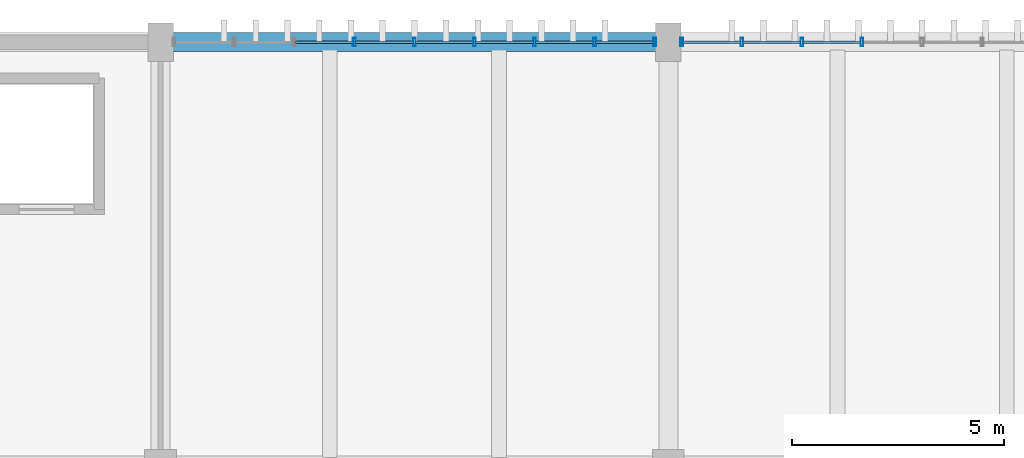
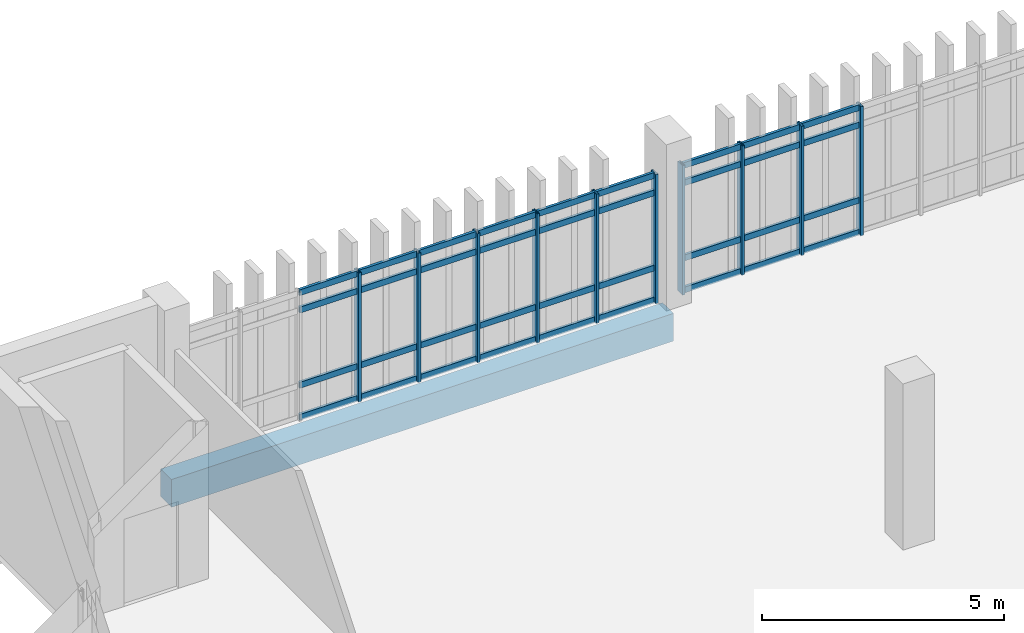
# One storey, part 118 of 161: 46 members, 1 beam, 2 elements without a shape of their own.
"""IFC4 building model written with IfcOpenShell, lengths in metres."""

from ifc_helpers import new_model, si_unit, direction, frame, origin, origin_2d, place, context, subcontext, project, spatial, rectangle, hollow_rectangle, extrude, material, layer, layer_set, material_profile, profile_set, type_object, element, aggregate, save


model = new_model("IFC4")

# Units and contexts
model_context = context("Model", 3, precision=1e-05, world=origin(), true_north=direction((0.0, 1.0)))
body_context = subcontext(model_context, "Body", "Model", "MODEL_VIEW")
ifc_project = project(units=[si_unit("LENGTHUNIT", "METRE"), si_unit("AREAUNIT", "SQUARE_METRE"), si_unit("VOLUMEUNIT", "CUBIC_METRE"), si_unit("PLANEANGLEUNIT", "RADIAN"), si_unit("MASSUNIT", "GRAM", prefix="KILO")], contexts=[model_context])

# Site, building, storey
site_placement = place(None, origin())
site = spatial("IfcSite", under=ifc_project, at=site_placement, CompositionType="ELEMENT")
building_placement = place(site_placement, origin())
building = spatial("IfcBuilding", under=site, at=building_placement, Name="Mersad Railyard Sports Hall", CompositionType="ELEMENT")
storey_placement = place(building_placement, frame((0.0, 0.0, 4.800048828125)))
storey = spatial("IfcBuildingStorey", under=building, at=storey_placement, Name="L01", CompositionType="ELEMENT", Elevation=4.800048828125)

# Curtain wall, members
ifc_material_1 = material(Name="Aluminium 6063-T6", Category="aluminium")
ifc_layer = layer(ifc_material_1, 0.199951171875)
ifc_layer_set = layer_set([ifc_layer], Name="Aluminium 6063-T6")
curtain_wall_type = type_object("IfcCurtainWallType", Name="ARC-CW-CW34", PredefinedType="USERDEFINED", material=ifc_layer_set)
curtain_wall_1_placement = place(storey_placement, origin())
curtain_wall_1 = element("IfcCurtainWall", 1, at=curtain_wall_1_placement, inside=storey, type_object=curtain_wall_type, Name="Curtain wall CW34-0101", ObjectType="CURTAIN WALL", PredefinedType="USERDEFINED")
ifc_material_profile_1 = material_profile(ifc_material_1, hollow_rectangle(XDim=0.06494140625, YDim=0.199951171875, WallThickness=0.0048828125, at=origin_2d()), Name="AL MULLION 65x200x5")
ifc_profile_set_1 = profile_set([ifc_material_profile_1], Name="Aluminium 6063-T6")
member_type_1 = type_object("IfcMemberType", Name="ARC-CW-MUL02", PredefinedType="MULLION", material=ifc_profile_set_1)
member_1_placement = place(storey_placement, frame((153.580078125, 115.0, -0.02001953125), z_axis=(0.0, 0.0, 1.0), x_axis=(1.0, 0.0, 0.0)))
member_1 = element("IfcMember", 2, at=member_1_placement, type_object=member_type_1, Name="CW34 Mullion 4", PredefinedType="MULLION", context=body_context, shape_type="SweptSolid", body=[
    extrude(hollow_rectangle(XDim=0.06494140625, YDim=0.199951171875, WallThickness=0.0048828125, at=origin_2d()), origin(), (0.0, 0.0, 1.0), 3.27001953125),
])
member_2_placement = place(storey_placement, frame((155.0, 115.0, -0.02001953125), z_axis=(0.0, 0.0, 1.0), x_axis=(1.0, 0.0, 0.0)))
member_2 = element("IfcMember", 3, at=member_2_placement, type_object=member_type_1, Name="CW34 Mullion 5", PredefinedType="MULLION", context=body_context, shape_type="SweptSolid", body=[
    extrude(hollow_rectangle(XDim=0.06494140625, YDim=0.199951171875, WallThickness=0.0048828125, at=origin_2d()), origin(), (0.0, 0.0, 1.0), 3.27001953125),
])
member_3_placement = place(storey_placement, frame((156.419921875, 115.0, -0.02001953125), z_axis=(0.0, 0.0, 1.0), x_axis=(1.0, 0.0, 0.0)))
member_3 = element("IfcMember", 4, at=member_3_placement, type_object=member_type_1, Name="CW34 Mullion 6", PredefinedType="MULLION", context=body_context, shape_type="SweptSolid", body=[
    extrude(hollow_rectangle(XDim=0.06494140625, YDim=0.199951171875, WallThickness=0.0048828125, at=origin_2d()), origin(), (0.0, 0.0, 1.0), 3.27001953125),
])
member_4_placement = place(storey_placement, frame((157.840087890625, 115.0, -0.02001953125), z_axis=(0.0, 0.0, 1.0), x_axis=(1.0, 0.0, 0.0)))
member_4 = element("IfcMember", 5, at=member_4_placement, type_object=member_type_1, Name="CW34 Mullion 7", PredefinedType="MULLION", context=body_context, shape_type="SweptSolid", body=[
    extrude(hollow_rectangle(XDim=0.06494140625, YDim=0.199951171875, WallThickness=0.0048828125, at=origin_2d()), origin(), (0.0, 0.0, 1.0), 3.27001953125),
])
member_5_placement = place(storey_placement, frame((159.260009765625, 115.0, -0.02001953125), z_axis=(0.0, 0.0, 1.0), x_axis=(1.0, 0.0, 0.0)))
member_5 = element("IfcMember", 6, at=member_5_placement, type_object=member_type_1, Name="CW34 Mullion 8", PredefinedType="MULLION", context=body_context, shape_type="SweptSolid", body=[
    extrude(hollow_rectangle(XDim=0.06494140625, YDim=0.199951171875, WallThickness=0.0048828125, at=origin_2d()), origin(), (0.0, 0.0, 1.0), 3.27001953125),
])
member_6_placement = place(storey_placement, frame((160.679931640625, 115.0, -0.02001953125), z_axis=(0.0, 0.0, 1.0), x_axis=(1.0, 0.0, 0.0)))
member_6 = element("IfcMember", 7, at=member_6_placement, type_object=member_type_1, Name="CW34 Mullion 9", PredefinedType="MULLION", context=body_context, shape_type="SweptSolid", body=[
    extrude(hollow_rectangle(XDim=0.06494140625, YDim=0.199951171875, WallThickness=0.0048828125, at=origin_2d()), origin(), (0.0, 0.0, 1.0), 3.27001953125),
])

curtain_wall_2_placement = place(storey_placement, origin())
curtain_wall_2 = element("IfcCurtainWall", 8, at=curtain_wall_2_placement, inside=storey, type_object=curtain_wall_type, Name="Curtain wall CW34-0102", ObjectType="CURTAIN WALL", PredefinedType="USERDEFINED")
member_7_placement = place(storey_placement, frame((161.320068359375, 115.0, -0.02001953125), z_axis=(0.0, 0.0, 1.0), x_axis=(1.0, 0.0, 0.0)))
member_7 = element("IfcMember", 9, at=member_7_placement, type_object=member_type_1, Name="CW34 Mullion 1", PredefinedType="MULLION", context=body_context, shape_type="SweptSolid", body=[
    extrude(hollow_rectangle(XDim=0.06494140625, YDim=0.199951171875, WallThickness=0.0048828125, at=origin_2d()), origin(), (0.0, 0.0, 1.0), 3.27001953125),
])
member_8_placement = place(storey_placement, frame((162.739990234375, 115.0, -0.02001953125), z_axis=(0.0, 0.0, 1.0), x_axis=(1.0, 0.0, 0.0)))
member_8 = element("IfcMember", 10, at=member_8_placement, type_object=member_type_1, Name="CW34 Mullion 2", PredefinedType="MULLION", context=body_context, shape_type="SweptSolid", body=[
    extrude(hollow_rectangle(XDim=0.06494140625, YDim=0.199951171875, WallThickness=0.0048828125, at=origin_2d()), origin(), (0.0, 0.0, 1.0), 3.27001953125),
])
member_9_placement = place(storey_placement, frame((164.159912109375, 115.0, -0.02001953125), z_axis=(0.0, 0.0, 1.0), x_axis=(1.0, 0.0, 0.0)))
member_9 = element("IfcMember", 11, at=member_9_placement, type_object=member_type_1, Name="CW34 Mullion 3", PredefinedType="MULLION", context=body_context, shape_type="SweptSolid", body=[
    extrude(hollow_rectangle(XDim=0.06494140625, YDim=0.199951171875, WallThickness=0.0048828125, at=origin_2d()), origin(), (0.0, 0.0, 1.0), 3.27001953125),
])
member_10_placement = place(storey_placement, frame((165.580078125, 115.0, -0.02001953125), z_axis=(0.0, 0.0, 1.0), x_axis=(1.0, 0.0, 0.0)))
member_10 = element("IfcMember", 12, at=member_10_placement, type_object=member_type_1, Name="CW34 Mullion 4", PredefinedType="MULLION", context=body_context, shape_type="SweptSolid", body=[
    extrude(hollow_rectangle(XDim=0.06494140625, YDim=0.199951171875, WallThickness=0.0048828125, at=origin_2d()), origin(), (0.0, 0.0, 1.0), 3.27001953125),
])

# Member
ifc_material_profile_2 = material_profile(ifc_material_1, hollow_rectangle(XDim=0.06494140625, YDim=0.14990234375, WallThickness=0.00439453125, at=origin_2d()), Name="AL TRANSOM 65x150x4.5")
ifc_profile_set_2 = profile_set([ifc_material_profile_2], Name="Aluminium 6063-T6")
member_type_2 = type_object("IfcMemberType", Name="ARC-CW-TRN02", PredefinedType="USERDEFINED", material=ifc_profile_set_2)
member_11_placement = place(storey_placement, frame((152.179931640625, 115.0, 0.0400390625), z_axis=(1.0, 0.0, 0.0), x_axis=(0.0, 1.0, 0.0)))
member_11 = element("IfcMember", 13, at=member_11_placement, type_object=member_type_2, Name="CW34 Transom 1-3", ObjectType="TRANSOM", PredefinedType="USERDEFINED", context=body_context, shape_type="SweptSolid", body=[
    extrude(hollow_rectangle(XDim=0.06494140625, YDim=0.14990234375, WallThickness=0.00439453125, at=origin_2d()), origin(), (0.0, 0.0, 1.0), 1.380126953125),
])

member_12_placement = place(storey_placement, frame((153.60009765625, 115.0, 0.0400390625), z_axis=(1.0, 0.0, 0.0), x_axis=(0.0, 1.0, 0.0)))
member_12 = element("IfcMember", 14, at=member_12_placement, type_object=member_type_2, Name="CW34 Transom 1-4", ObjectType="TRANSOM", PredefinedType="USERDEFINED", context=body_context, shape_type="SweptSolid", body=[
    extrude(hollow_rectangle(XDim=0.06494140625, YDim=0.14990234375, WallThickness=0.00439453125, at=origin_2d()), origin(), (0.0, 0.0, 1.0), 1.3798828125),
])

member_13_placement = place(storey_placement, frame((155.02001953125, 115.0, 0.0400390625), z_axis=(1.0, 0.0, 0.0), x_axis=(0.0, 1.0, 0.0)))
member_13 = element("IfcMember", 15, at=member_13_placement, type_object=member_type_2, Name="CW34 Transom 1-5", ObjectType="TRANSOM", PredefinedType="USERDEFINED", context=body_context, shape_type="SweptSolid", body=[
    extrude(hollow_rectangle(XDim=0.06494140625, YDim=0.14990234375, WallThickness=0.00439453125, at=origin_2d()), origin(), (0.0, 0.0, 1.0), 1.3798828125),
])

member_14_placement = place(storey_placement, frame((156.43994140625, 115.0, 0.0400390625), z_axis=(1.0, 0.0, 0.0), x_axis=(0.0, 1.0, 0.0)))
member_14 = element("IfcMember", 16, at=member_14_placement, type_object=member_type_2, Name="CW34 Transom 1-6", ObjectType="TRANSOM", PredefinedType="USERDEFINED", context=body_context, shape_type="SweptSolid", body=[
    extrude(hollow_rectangle(XDim=0.06494140625, YDim=0.14990234375, WallThickness=0.00439453125, at=origin_2d()), origin(), (0.0, 0.0, 1.0), 1.380126953125),
])

member_15_placement = place(storey_placement, frame((157.860107421875, 115.0, 0.0400390625), z_axis=(1.0, 0.0, 0.0), x_axis=(0.0, 1.0, 0.0)))
member_15 = element("IfcMember", 17, at=member_15_placement, type_object=member_type_2, Name="CW34 Transom 1-7", ObjectType="TRANSOM", PredefinedType="USERDEFINED", context=body_context, shape_type="SweptSolid", body=[
    extrude(hollow_rectangle(XDim=0.06494140625, YDim=0.14990234375, WallThickness=0.00439453125, at=origin_2d()), origin(), (0.0, 0.0, 1.0), 1.3798828125),
])

member_16_placement = place(storey_placement, frame((159.280029296875, 115.0, 0.0400390625), z_axis=(1.0, 0.0, 0.0), x_axis=(0.0, 1.0, 0.0)))
member_16 = element("IfcMember", 18, at=member_16_placement, type_object=member_type_2, Name="CW34 Transom 1-8", ObjectType="TRANSOM", PredefinedType="USERDEFINED", context=body_context, shape_type="SweptSolid", body=[
    extrude(hollow_rectangle(XDim=0.06494140625, YDim=0.14990234375, WallThickness=0.00439453125, at=origin_2d()), origin(), (0.0, 0.0, 1.0), 1.3798828125),
])

member_17_placement = place(storey_placement, frame((152.179931640625, 115.0, 0.849853515625), z_axis=(1.0, 0.0, 0.0), x_axis=(0.0, 1.0, 0.0)))
member_17 = element("IfcMember", 19, at=member_17_placement, type_object=member_type_2, Name="CW34 Transom 2-3", ObjectType="TRANSOM", PredefinedType="USERDEFINED", context=body_context, shape_type="SweptSolid", body=[
    extrude(hollow_rectangle(XDim=0.06494140625, YDim=0.14990234375, WallThickness=0.00439453125, at=origin_2d()), origin(), (0.0, 0.0, 1.0), 1.380126953125),
])

member_18_placement = place(storey_placement, frame((153.60009765625, 115.0, 0.849853515625), z_axis=(1.0, 0.0, 0.0), x_axis=(0.0, 1.0, 0.0)))
member_18 = element("IfcMember", 20, at=member_18_placement, type_object=member_type_2, Name="CW34 Transom 2-4", ObjectType="TRANSOM", PredefinedType="USERDEFINED", context=body_context, shape_type="SweptSolid", body=[
    extrude(hollow_rectangle(XDim=0.06494140625, YDim=0.14990234375, WallThickness=0.00439453125, at=origin_2d()), origin(), (0.0, 0.0, 1.0), 1.3798828125),
])

member_19_placement = place(storey_placement, frame((155.02001953125, 115.0, 0.849853515625), z_axis=(1.0, 0.0, 0.0), x_axis=(0.0, 1.0, 0.0)))
member_19 = element("IfcMember", 21, at=member_19_placement, type_object=member_type_2, Name="CW34 Transom 2-5", ObjectType="TRANSOM", PredefinedType="USERDEFINED", context=body_context, shape_type="SweptSolid", body=[
    extrude(hollow_rectangle(XDim=0.06494140625, YDim=0.14990234375, WallThickness=0.00439453125, at=origin_2d()), origin(), (0.0, 0.0, 1.0), 1.3798828125),
])

member_20_placement = place(storey_placement, frame((156.43994140625, 115.0, 0.849853515625), z_axis=(1.0, 0.0, 0.0), x_axis=(0.0, 1.0, 0.0)))
member_20 = element("IfcMember", 22, at=member_20_placement, type_object=member_type_2, Name="CW34 Transom 2-6", ObjectType="TRANSOM", PredefinedType="USERDEFINED", context=body_context, shape_type="SweptSolid", body=[
    extrude(hollow_rectangle(XDim=0.06494140625, YDim=0.14990234375, WallThickness=0.00439453125, at=origin_2d()), origin(), (0.0, 0.0, 1.0), 1.380126953125),
])

member_21_placement = place(storey_placement, frame((157.860107421875, 115.0, 0.849853515625), z_axis=(1.0, 0.0, 0.0), x_axis=(0.0, 1.0, 0.0)))
member_21 = element("IfcMember", 23, at=member_21_placement, type_object=member_type_2, Name="CW34 Transom 2-7", ObjectType="TRANSOM", PredefinedType="USERDEFINED", context=body_context, shape_type="SweptSolid", body=[
    extrude(hollow_rectangle(XDim=0.06494140625, YDim=0.14990234375, WallThickness=0.00439453125, at=origin_2d()), origin(), (0.0, 0.0, 1.0), 1.3798828125),
])

member_22_placement = place(storey_placement, frame((159.280029296875, 115.0, 0.849853515625), z_axis=(1.0, 0.0, 0.0), x_axis=(0.0, 1.0, 0.0)))
member_22 = element("IfcMember", 24, at=member_22_placement, type_object=member_type_2, Name="CW34 Transom 2-8", ObjectType="TRANSOM", PredefinedType="USERDEFINED", context=body_context, shape_type="SweptSolid", body=[
    extrude(hollow_rectangle(XDim=0.06494140625, YDim=0.14990234375, WallThickness=0.00439453125, at=origin_2d()), origin(), (0.0, 0.0, 1.0), 1.3798828125),
])

member_23_placement = place(storey_placement, frame((152.179931640625, 115.0, 2.75), z_axis=(1.0, 0.0, 0.0), x_axis=(0.0, 1.0, 0.0)))
member_23 = element("IfcMember", 25, at=member_23_placement, type_object=member_type_2, Name="CW34 Transom 3-3", ObjectType="TRANSOM", PredefinedType="USERDEFINED", context=body_context, shape_type="SweptSolid", body=[
    extrude(hollow_rectangle(XDim=0.06494140625, YDim=0.14990234375, WallThickness=0.00439453125, at=origin_2d()), origin(), (0.0, 0.0, 1.0), 1.380126953125),
])

member_24_placement = place(storey_placement, frame((153.60009765625, 115.0, 2.75), z_axis=(1.0, 0.0, 0.0), x_axis=(0.0, 1.0, 0.0)))
member_24 = element("IfcMember", 26, at=member_24_placement, type_object=member_type_2, Name="CW34 Transom 3-4", ObjectType="TRANSOM", PredefinedType="USERDEFINED", context=body_context, shape_type="SweptSolid", body=[
    extrude(hollow_rectangle(XDim=0.06494140625, YDim=0.14990234375, WallThickness=0.00439453125, at=origin_2d()), origin(), (0.0, 0.0, 1.0), 1.3798828125),
])

member_25_placement = place(storey_placement, frame((155.02001953125, 115.0, 2.75), z_axis=(1.0, 0.0, 0.0), x_axis=(0.0, 1.0, 0.0)))
member_25 = element("IfcMember", 27, at=member_25_placement, type_object=member_type_2, Name="CW34 Transom 3-5", ObjectType="TRANSOM", PredefinedType="USERDEFINED", context=body_context, shape_type="SweptSolid", body=[
    extrude(hollow_rectangle(XDim=0.06494140625, YDim=0.14990234375, WallThickness=0.00439453125, at=origin_2d()), origin(), (0.0, 0.0, 1.0), 1.3798828125),
])

member_26_placement = place(storey_placement, frame((156.43994140625, 115.0, 2.75), z_axis=(1.0, 0.0, 0.0), x_axis=(0.0, 1.0, 0.0)))
member_26 = element("IfcMember", 28, at=member_26_placement, type_object=member_type_2, Name="CW34 Transom 3-6", ObjectType="TRANSOM", PredefinedType="USERDEFINED", context=body_context, shape_type="SweptSolid", body=[
    extrude(hollow_rectangle(XDim=0.06494140625, YDim=0.14990234375, WallThickness=0.00439453125, at=origin_2d()), origin(), (0.0, 0.0, 1.0), 1.380126953125),
])

member_27_placement = place(storey_placement, frame((157.860107421875, 115.0, 2.75), z_axis=(1.0, 0.0, 0.0), x_axis=(0.0, 1.0, 0.0)))
member_27 = element("IfcMember", 29, at=member_27_placement, type_object=member_type_2, Name="CW34 Transom 3-7", ObjectType="TRANSOM", PredefinedType="USERDEFINED", context=body_context, shape_type="SweptSolid", body=[
    extrude(hollow_rectangle(XDim=0.06494140625, YDim=0.14990234375, WallThickness=0.00439453125, at=origin_2d()), origin(), (0.0, 0.0, 1.0), 1.3798828125),
])

member_28_placement = place(storey_placement, frame((159.280029296875, 115.0, 2.75), z_axis=(1.0, 0.0, 0.0), x_axis=(0.0, 1.0, 0.0)))
member_28 = element("IfcMember", 30, at=member_28_placement, type_object=member_type_2, Name="CW34 Transom 3-8", ObjectType="TRANSOM", PredefinedType="USERDEFINED", context=body_context, shape_type="SweptSolid", body=[
    extrude(hollow_rectangle(XDim=0.06494140625, YDim=0.14990234375, WallThickness=0.00439453125, at=origin_2d()), origin(), (0.0, 0.0, 1.0), 1.3798828125),
])

member_29_placement = place(storey_placement, frame((152.179931640625, 115.0, 3.18994140625), z_axis=(1.0, 0.0, 0.0), x_axis=(0.0, 1.0, 0.0)))
member_29 = element("IfcMember", 31, at=member_29_placement, type_object=member_type_2, Name="CW34 Transom 4-3", ObjectType="TRANSOM", PredefinedType="USERDEFINED", context=body_context, shape_type="SweptSolid", body=[
    extrude(hollow_rectangle(XDim=0.06494140625, YDim=0.14990234375, WallThickness=0.00439453125, at=origin_2d()), origin(), (0.0, 0.0, 1.0), 1.380126953125),
])

member_30_placement = place(storey_placement, frame((153.60009765625, 115.0, 3.18994140625), z_axis=(1.0, 0.0, 0.0), x_axis=(0.0, 1.0, 0.0)))
member_30 = element("IfcMember", 32, at=member_30_placement, type_object=member_type_2, Name="CW34 Transom 4-4", ObjectType="TRANSOM", PredefinedType="USERDEFINED", context=body_context, shape_type="SweptSolid", body=[
    extrude(hollow_rectangle(XDim=0.06494140625, YDim=0.14990234375, WallThickness=0.00439453125, at=origin_2d()), origin(), (0.0, 0.0, 1.0), 1.3798828125),
])

member_31_placement = place(storey_placement, frame((155.02001953125, 115.0, 3.18994140625), z_axis=(1.0, 0.0, 0.0), x_axis=(0.0, 1.0, 0.0)))
member_31 = element("IfcMember", 33, at=member_31_placement, type_object=member_type_2, Name="CW34 Transom 4-5", ObjectType="TRANSOM", PredefinedType="USERDEFINED", context=body_context, shape_type="SweptSolid", body=[
    extrude(hollow_rectangle(XDim=0.06494140625, YDim=0.14990234375, WallThickness=0.00439453125, at=origin_2d()), origin(), (0.0, 0.0, 1.0), 1.3798828125),
])

member_32_placement = place(storey_placement, frame((156.43994140625, 115.0, 3.18994140625), z_axis=(1.0, 0.0, 0.0), x_axis=(0.0, 1.0, 0.0)))
member_32 = element("IfcMember", 34, at=member_32_placement, type_object=member_type_2, Name="CW34 Transom 4-6", ObjectType="TRANSOM", PredefinedType="USERDEFINED", context=body_context, shape_type="SweptSolid", body=[
    extrude(hollow_rectangle(XDim=0.06494140625, YDim=0.14990234375, WallThickness=0.00439453125, at=origin_2d()), origin(), (0.0, 0.0, 1.0), 1.380126953125),
])

member_33_placement = place(storey_placement, frame((157.860107421875, 115.0, 3.18994140625), z_axis=(1.0, 0.0, 0.0), x_axis=(0.0, 1.0, 0.0)))
member_33 = element("IfcMember", 35, at=member_33_placement, type_object=member_type_2, Name="CW34 Transom 4-7", ObjectType="TRANSOM", PredefinedType="USERDEFINED", context=body_context, shape_type="SweptSolid", body=[
    extrude(hollow_rectangle(XDim=0.06494140625, YDim=0.14990234375, WallThickness=0.00439453125, at=origin_2d()), origin(), (0.0, 0.0, 1.0), 1.3798828125),
])

member_34_placement = place(storey_placement, frame((159.280029296875, 115.0, 3.18994140625), z_axis=(1.0, 0.0, 0.0), x_axis=(0.0, 1.0, 0.0)))
member_34 = element("IfcMember", 36, at=member_34_placement, type_object=member_type_2, Name="CW34 Transom 4-8", ObjectType="TRANSOM", PredefinedType="USERDEFINED", context=body_context, shape_type="SweptSolid", body=[
    extrude(hollow_rectangle(XDim=0.06494140625, YDim=0.14990234375, WallThickness=0.00439453125, at=origin_2d()), origin(), (0.0, 0.0, 1.0), 1.3798828125),
])

aggregate(curtain_wall_1, [member_1, member_2, member_3, member_4, member_5, member_6, member_11, member_12, member_13, member_14, member_15, member_16, member_17, member_18, member_19, member_20, member_21, member_22, member_23, member_24, member_25, member_26, member_27, member_28, member_29, member_30, member_31, member_32, member_33, member_34])

member_35_placement = place(storey_placement, frame((161.340087890625, 115.0, 0.0400390625), z_axis=(1.0, 0.0, 0.0), x_axis=(0.0, 1.0, 0.0)))
member_35 = element("IfcMember", 37, at=member_35_placement, type_object=member_type_2, Name="CW34 Transom 1-1", ObjectType="TRANSOM", PredefinedType="USERDEFINED", context=body_context, shape_type="SweptSolid", body=[
    extrude(hollow_rectangle(XDim=0.06494140625, YDim=0.14990234375, WallThickness=0.00439453125, at=origin_2d()), origin(), (0.0, 0.0, 1.0), 1.3798828125),
])

member_36_placement = place(storey_placement, frame((162.760009765625, 115.0, 0.0400390625), z_axis=(1.0, 0.0, 0.0), x_axis=(0.0, 1.0, 0.0)))
member_36 = element("IfcMember", 38, at=member_36_placement, type_object=member_type_2, Name="CW34 Transom 1-2", ObjectType="TRANSOM", PredefinedType="USERDEFINED", context=body_context, shape_type="SweptSolid", body=[
    extrude(hollow_rectangle(XDim=0.06494140625, YDim=0.14990234375, WallThickness=0.00439453125, at=origin_2d()), origin(), (0.0, 0.0, 1.0), 1.3798828125),
])

member_37_placement = place(storey_placement, frame((164.179931640625, 115.0, 0.0400390625), z_axis=(1.0, 0.0, 0.0), x_axis=(0.0, 1.0, 0.0)))
member_37 = element("IfcMember", 39, at=member_37_placement, type_object=member_type_2, Name="CW34 Transom 1-3", ObjectType="TRANSOM", PredefinedType="USERDEFINED", context=body_context, shape_type="SweptSolid", body=[
    extrude(hollow_rectangle(XDim=0.06494140625, YDim=0.14990234375, WallThickness=0.00439453125, at=origin_2d()), origin(), (0.0, 0.0, 1.0), 1.380126953125),
])

member_38_placement = place(storey_placement, frame((161.340087890625, 115.0, 0.849853515625), z_axis=(1.0, 0.0, 0.0), x_axis=(0.0, 1.0, 0.0)))
member_38 = element("IfcMember", 40, at=member_38_placement, type_object=member_type_2, Name="CW34 Transom 2-1", ObjectType="TRANSOM", PredefinedType="USERDEFINED", context=body_context, shape_type="SweptSolid", body=[
    extrude(hollow_rectangle(XDim=0.06494140625, YDim=0.14990234375, WallThickness=0.00439453125, at=origin_2d()), origin(), (0.0, 0.0, 1.0), 1.3798828125),
])

member_39_placement = place(storey_placement, frame((162.760009765625, 115.0, 0.849853515625), z_axis=(1.0, 0.0, 0.0), x_axis=(0.0, 1.0, 0.0)))
member_39 = element("IfcMember", 41, at=member_39_placement, type_object=member_type_2, Name="CW34 Transom 2-2", ObjectType="TRANSOM", PredefinedType="USERDEFINED", context=body_context, shape_type="SweptSolid", body=[
    extrude(hollow_rectangle(XDim=0.06494140625, YDim=0.14990234375, WallThickness=0.00439453125, at=origin_2d()), origin(), (0.0, 0.0, 1.0), 1.3798828125),
])

member_40_placement = place(storey_placement, frame((164.179931640625, 115.0, 0.849853515625), z_axis=(1.0, 0.0, 0.0), x_axis=(0.0, 1.0, 0.0)))
member_40 = element("IfcMember", 42, at=member_40_placement, type_object=member_type_2, Name="CW34 Transom 2-3", ObjectType="TRANSOM", PredefinedType="USERDEFINED", context=body_context, shape_type="SweptSolid", body=[
    extrude(hollow_rectangle(XDim=0.06494140625, YDim=0.14990234375, WallThickness=0.00439453125, at=origin_2d()), origin(), (0.0, 0.0, 1.0), 1.380126953125),
])

member_41_placement = place(storey_placement, frame((161.340087890625, 115.0, 2.75), z_axis=(1.0, 0.0, 0.0), x_axis=(0.0, 1.0, 0.0)))
member_41 = element("IfcMember", 43, at=member_41_placement, type_object=member_type_2, Name="CW34 Transom 3-1", ObjectType="TRANSOM", PredefinedType="USERDEFINED", context=body_context, shape_type="SweptSolid", body=[
    extrude(hollow_rectangle(XDim=0.06494140625, YDim=0.14990234375, WallThickness=0.00439453125, at=origin_2d()), origin(), (0.0, 0.0, 1.0), 1.3798828125),
])

member_42_placement = place(storey_placement, frame((162.760009765625, 115.0, 2.75), z_axis=(1.0, 0.0, 0.0), x_axis=(0.0, 1.0, 0.0)))
member_42 = element("IfcMember", 44, at=member_42_placement, type_object=member_type_2, Name="CW34 Transom 3-2", ObjectType="TRANSOM", PredefinedType="USERDEFINED", context=body_context, shape_type="SweptSolid", body=[
    extrude(hollow_rectangle(XDim=0.06494140625, YDim=0.14990234375, WallThickness=0.00439453125, at=origin_2d()), origin(), (0.0, 0.0, 1.0), 1.3798828125),
])

member_43_placement = place(storey_placement, frame((164.179931640625, 115.0, 2.75), z_axis=(1.0, 0.0, 0.0), x_axis=(0.0, 1.0, 0.0)))
member_43 = element("IfcMember", 45, at=member_43_placement, type_object=member_type_2, Name="CW34 Transom 3-3", ObjectType="TRANSOM", PredefinedType="USERDEFINED", context=body_context, shape_type="SweptSolid", body=[
    extrude(hollow_rectangle(XDim=0.06494140625, YDim=0.14990234375, WallThickness=0.00439453125, at=origin_2d()), origin(), (0.0, 0.0, 1.0), 1.380126953125),
])

member_44_placement = place(storey_placement, frame((161.340087890625, 115.0, 3.18994140625), z_axis=(1.0, 0.0, 0.0), x_axis=(0.0, 1.0, 0.0)))
member_44 = element("IfcMember", 46, at=member_44_placement, type_object=member_type_2, Name="CW34 Transom 4-1", ObjectType="TRANSOM", PredefinedType="USERDEFINED", context=body_context, shape_type="SweptSolid", body=[
    extrude(hollow_rectangle(XDim=0.06494140625, YDim=0.14990234375, WallThickness=0.00439453125, at=origin_2d()), origin(), (0.0, 0.0, 1.0), 1.3798828125),
])

member_45_placement = place(storey_placement, frame((162.760009765625, 115.0, 3.18994140625), z_axis=(1.0, 0.0, 0.0), x_axis=(0.0, 1.0, 0.0)))
member_45 = element("IfcMember", 47, at=member_45_placement, type_object=member_type_2, Name="CW34 Transom 4-2", ObjectType="TRANSOM", PredefinedType="USERDEFINED", context=body_context, shape_type="SweptSolid", body=[
    extrude(hollow_rectangle(XDim=0.06494140625, YDim=0.14990234375, WallThickness=0.00439453125, at=origin_2d()), origin(), (0.0, 0.0, 1.0), 1.3798828125),
])

member_46_placement = place(storey_placement, frame((164.179931640625, 115.0, 3.18994140625), z_axis=(1.0, 0.0, 0.0), x_axis=(0.0, 1.0, 0.0)))
member_46 = element("IfcMember", 48, at=member_46_placement, type_object=member_type_2, Name="CW34 Transom 4-3", ObjectType="TRANSOM", PredefinedType="USERDEFINED", context=body_context, shape_type="SweptSolid", body=[
    extrude(hollow_rectangle(XDim=0.06494140625, YDim=0.14990234375, WallThickness=0.00439453125, at=origin_2d()), origin(), (0.0, 0.0, 1.0), 1.380126953125),
])

aggregate(curtain_wall_2, [member_7, member_8, member_9, member_10, member_35, member_36, member_37, member_38, member_39, member_40, member_41, member_42, member_43, member_44, member_45, member_46])

# Beam
ifc_material_2 = material(Name="Architectural concrete C40/50", Category="concrete")
ifc_material_profile_3 = material_profile(ifc_material_2, rectangle(XDim=0.449951171875, YDim=0.699951171875, at=origin_2d()), Name="RC 450x700")
ifc_profile_set_3 = profile_set([ifc_material_profile_3], Name="Architectural concrete C40/50")
beam_type = type_object("IfcBeamType", Name="STR-BM-SP01", PredefinedType="SPANDREL", material=ifc_profile_set_3)
beam_placement = place(storey_placement, frame((149.0, 115.0, -0.650146484375), z_axis=(1.0, 0.0, 0.0), x_axis=(0.0, 1.0, 0.0)))
element("IfcBeam", 49, at=beam_placement, inside=storey, type_object=beam_type, Name="Beam SP01-0993", PredefinedType="SPANDREL", context=body_context, shape_type="SweptSolid", body=[
    extrude(rectangle(XDim=0.449951171875, YDim=0.699951171875, at=origin_2d()), origin(), (0.0, 0.0, 1.0), 12.0),
])

save(model, "model.ifc")
